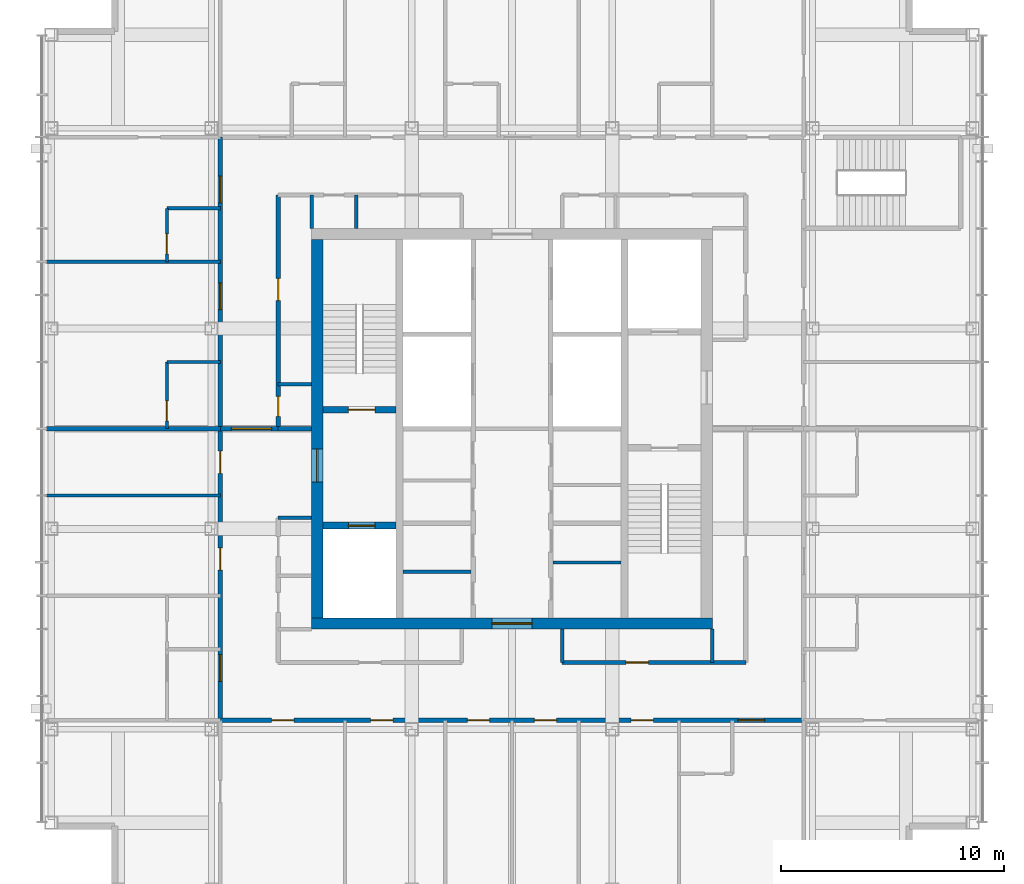
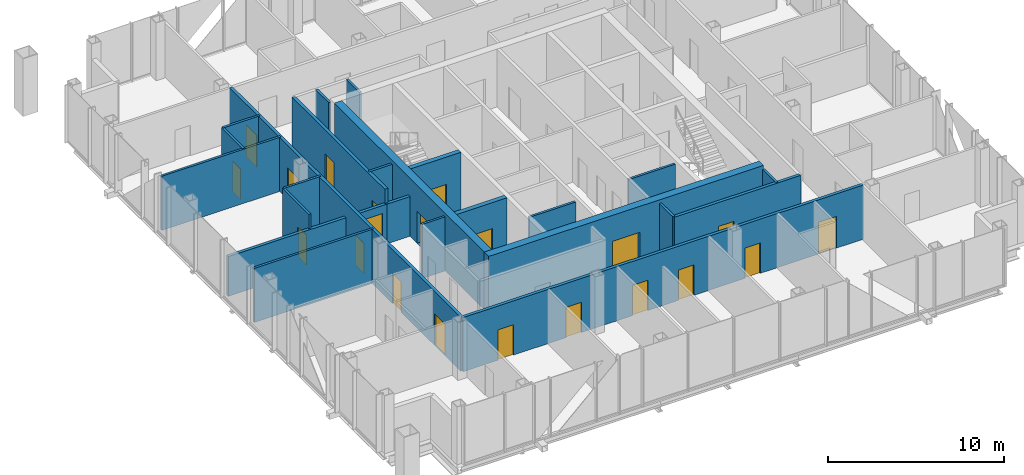
# One storey, part 8 of 14: 25 walls, 21 doors, 21 openings.
"""IFC4 building model written with IfcOpenShell, lengths in metres."""

from ifc_helpers import new_model, si_unit, direction, frame, frame_2d, origin, place, context, subcontext, project, spatial, rectangle, extrude, material, layer, layer_set, type_object, element, fill, save


model = new_model("IFC4")

# Units and contexts
model_context = context("Model", 3, precision=1e-05, world=origin(), true_north=direction((0.0, 1.0)))
body_context = subcontext(model_context, "Body", "Model", "MODEL_VIEW")
ifc_project = project(units=[si_unit("LENGTHUNIT", "METRE"), si_unit("AREAUNIT", "SQUARE_METRE"), si_unit("VOLUMEUNIT", "CUBIC_METRE"), si_unit("PLANEANGLEUNIT", "RADIAN"), si_unit("MASSUNIT", "GRAM", prefix="KILO")], contexts=[model_context])

# Site, building, storey
site_placement = place(None, origin())
site = spatial("IfcSite", under=ifc_project, at=site_placement, CompositionType="ELEMENT")
building_placement = place(site_placement, origin())
building = spatial("IfcBuilding", under=site, at=building_placement, Name="Malebo Sky Hospital", CompositionType="ELEMENT")
storey_placement = place(building_placement, frame((0.0, 0.0, 258.0)))
storey = spatial("IfcBuildingStorey", under=building, at=storey_placement, Name="L62", CompositionType="ELEMENT", Elevation=258.0)

# Wall, opening, door
ifc_material_1 = material(Name="Concrete C80/95", Category="concrete")
ifc_layer_1 = layer(ifc_material_1, 0.300048828125)
ifc_layer_set_1 = layer_set([ifc_layer_1], Name="CORE INNER WALL 300")
wall_type_1 = type_object("IfcWallType", Name="CORE INNER WALL 300", PredefinedType="SHEAR", material=ifc_layer_set_1)
wall_1_placement = place(storey_placement, frame((51.5, 62.85009765625, 0.0), z_axis=(0.0, 0.0, 1.0), x_axis=(1.0, 0.0, 0.0)))
wall_1 = element("IfcWall", 1, at=wall_1_placement, inside=storey, type_object=wall_type_1, Name="Core wall W1 L62", PredefinedType="SHEAR", context=body_context, shape_type="SweptSolid", body=[
    extrude(rectangle(XDim=3.300048828125, YDim=0.300048828125, at=frame_2d((1.64990234375, 0.0))), origin(), (0.0, 0.0, 1.0), 4.0),
])
opening_1_placement = place(wall_1_placement, frame((1.14990234375, 0.0, 0.0)))
opening_1 = element("IfcOpeningElement", 2, at=opening_1_placement, cuts=wall_1, Name="Opening D08", PredefinedType="OPENING", context=body_context, shape_type="SweptSolid", body=[
    extrude(rectangle(XDim=1.199951171875, YDim=2.10009765625, at=frame_2d((0.60009765625, 1.050048828125))), frame((0.0, 0.159912109375, 0.0), z_axis=(0.0, -1.0, 0.0), x_axis=(1.0, 0.0, 0.0)), (0.0, 0.0, 1.0), 0.320068359375),
])
ifc_material_2 = material(Name="Hardwood-faced door leaf in steel frame", Category="steel")
door_type_1 = type_object("IfcDoorType", Name="STAIR DOOR 1200", OperationType="SINGLE_SWING_LEFT", PredefinedType="DOOR", material=ifc_material_2)
door_1_placement = place(opening_1_placement, origin())
door_1 = element("IfcDoor", 3, at=door_1_placement, inside=storey, type_object=door_type_1, Name="Stair S1 door", OperationType="SINGLE_SWING_RIGHT", OverallHeight=2.10009765625, OverallWidth=1.199951171875, PredefinedType="DOOR", context=body_context, shape_type="SweptSolid", body=[
    extrude(rectangle(XDim=1.199951171875, YDim=2.10009765625, at=frame_2d((0.60009765625, 1.050048828125))), frame((0.0, 0.02490234375, 0.0), z_axis=(0.0, -1.0, 0.0), x_axis=(1.0, 0.0, 0.0)), (0.0, 0.0, 1.0), 0.050048828125),
])
fill(opening_1, door_1)

wall_2_placement = place(storey_placement, frame((51.5, 57.64990234375, 0.0), z_axis=(0.0, 0.0, 1.0), x_axis=(1.0, 0.0, 0.0)))
wall_2 = element("IfcWall", 4, at=wall_2_placement, inside=storey, type_object=wall_type_1, Name="Core wall W2 L62", PredefinedType="SHEAR", context=body_context, shape_type="SweptSolid", body=[
    extrude(rectangle(XDim=3.300048828125, YDim=0.300048828125, at=frame_2d((1.64990234375, 0.0))), origin(), (0.0, 0.0, 1.0), 4.0),
])
opening_2_placement = place(wall_2_placement, frame((1.14990234375, 0.0, 0.0)))
opening_2 = element("IfcOpeningElement", 5, at=opening_2_placement, cuts=wall_2, Name="Opening LD2", PredefinedType="OPENING", context=body_context, shape_type="SweptSolid", body=[
    extrude(rectangle(XDim=1.199951171875, YDim=2.199951171875, at=frame_2d((0.60009765625, 1.10009765625))), frame((0.0, 0.159912109375, 0.0), z_axis=(0.0, -1.0, 0.0), x_axis=(1.0, 0.0, 0.0)), (0.0, 0.0, 1.0), 0.320068359375),
])
ifc_material_3 = material(Name="Stainless steel sliding landing door", Category="steel")
door_type_2 = type_object("IfcDoorType", Name="FIRE-FIGHTING LIFT LANDING DOOR 1200", OperationType="SLIDING_TO_LEFT", PredefinedType="DOOR", material=ifc_material_3)
door_2_placement = place(opening_2_placement, origin())
door_2 = element("IfcDoor", 6, at=door_2_placement, inside=storey, type_object=door_type_2, Name="Lift FL1 landing door", OperationType="SLIDING_TO_LEFT", OverallHeight=2.199951171875, OverallWidth=1.199951171875, PredefinedType="DOOR", context=body_context, shape_type="SweptSolid", body=[
    extrude(rectangle(XDim=1.199951171875, YDim=2.199951171875, at=frame_2d((0.60009765625, 1.10009765625))), frame((0.0, 0.02490234375, 0.0), z_axis=(0.0, -1.0, 0.0), x_axis=(1.0, 0.0, 0.0)), (0.0, 0.0, 1.0), 0.050048828125),
])
fill(opening_2, door_2)

ifc_layer_2 = layer(ifc_material_1, 0.5)
ifc_layer_set_2 = layer_set([ifc_layer_2], Name="CORE WALL 500")
wall_type_2 = type_object("IfcWallType", Name="CORE WALL 500", PredefinedType="SHEAR", material=ifc_layer_set_2)
wall_3_placement = place(storey_placement, frame((51.0, 53.25, 0.0), z_axis=(0.0, 0.0, 1.0), x_axis=(1.0, 0.0, 0.0)))
wall_3 = element("IfcWall", 7, at=wall_3_placement, inside=storey, type_object=wall_type_2, Name="Core wall S L62", PredefinedType="SHEAR", context=body_context, shape_type="SweptSolid", body=[
    extrude(rectangle(XDim=18.0, YDim=0.5, at=frame_2d((9.0, 0.0))), origin(), (0.0, 0.0, 1.0), 4.0),
])
opening_3_placement = place(wall_3_placement, frame((8.10009765625, 0.0, 0.0)))
opening_3 = element("IfcOpeningElement", 8, at=opening_3_placement, cuts=wall_3, Name="Opening D06", PredefinedType="OPENING", context=body_context, shape_type="SweptSolid", body=[
    extrude(rectangle(XDim=1.800048828125, YDim=2.199951171875, at=frame_2d((0.89990234375, 1.10009765625))), frame((0.0, 0.260009765625, 0.0), z_axis=(0.0, -1.0, 0.0), x_axis=(1.0, 0.0, 0.0)), (0.0, 0.0, 1.0), 0.52001953125),
])
door_type_3 = type_object("IfcDoorType", Name="LOBBY DOOR PAIR 1800", OperationType="DOUBLE_DOOR_SINGLE_SWING", PredefinedType="DOOR", material=ifc_material_2)
door_3_placement = place(opening_3_placement, origin())
door_3 = element("IfcDoor", 9, at=door_3_placement, inside=storey, type_object=door_type_3, Name="Service lobby door south", OperationType="DOUBLE_DOOR_SINGLE_SWING", OverallHeight=2.199951171875, OverallWidth=1.800048828125, PredefinedType="DOOR", context=body_context, shape_type="SweptSolid", body=[
    extrude(rectangle(XDim=1.800048828125, YDim=2.199951171875, at=frame_2d((0.89990234375, 1.10009765625))), frame((0.0, 0.02490234375, 0.0), z_axis=(0.0, -1.0, 0.0), x_axis=(1.0, 0.0, 0.0)), (0.0, 0.0, 1.0), 0.050048828125),
])
fill(opening_3, door_3)

wall_4_placement = place(storey_placement, frame((51.25, 53.5, 0.0), z_axis=(0.0, 0.0, 1.0), x_axis=(0.0, 1.0, 0.0)))
wall_4 = element("IfcWall", 10, at=wall_4_placement, inside=storey, type_object=wall_type_2, Name="Core wall W L62", PredefinedType="SHEAR", context=body_context, shape_type="SweptSolid", body=[
    extrude(rectangle(XDim=17.0, YDim=0.5, at=frame_2d((8.5, 0.0))), origin(), (0.0, 0.0, 1.0), 4.0),
])
opening_4_placement = place(wall_4_placement, frame((6.10009765625, 0.0, 0.0)))
opening_4 = element("IfcOpeningElement", 11, at=opening_4_placement, cuts=wall_4, Name="Opening D07", PredefinedType="OPENING", context=body_context, shape_type="SweptSolid", body=[
    extrude(rectangle(XDim=1.5, YDim=2.199951171875, at=frame_2d((0.75, 1.10009765625))), frame((0.0, 0.260009765625, 0.0), z_axis=(0.0, -1.0, 0.0), x_axis=(1.0, 0.0, 0.0)), (0.0, 0.0, 1.0), 0.52001953125),
])
door_type_4 = type_object("IfcDoorType", Name="FIRE-FIGHTING LOBBY DOOR PAIR 1500", OperationType="DOUBLE_DOOR_SINGLE_SWING", PredefinedType="DOOR", material=ifc_material_2)
door_4_placement = place(opening_4_placement, origin())
door_4 = element("IfcDoor", 12, at=door_4_placement, inside=storey, type_object=door_type_4, Name="Fire-fighting lobby door west", OperationType="DOUBLE_DOOR_SINGLE_SWING", OverallHeight=2.199951171875, OverallWidth=1.5, PredefinedType="DOOR", context=body_context, shape_type="SweptSolid", body=[
    extrude(rectangle(XDim=1.5, YDim=2.199951171875, at=frame_2d((0.75, 1.10009765625))), frame((0.0, 0.02490234375, 0.0), z_axis=(0.0, -1.0, 0.0), x_axis=(1.0, 0.0, 0.0)), (0.0, 0.0, 1.0), 0.050048828125),
])
fill(opening_4, door_4)

# Wall, openings, doors
ifc_material_4 = material(Name="Gypsum board on steel studs", Category="steel")
ifc_layer_3 = layer(ifc_material_4, 0.199951171875)
ifc_layer_set_3 = layer_set([ifc_layer_3], Name="CORRIDOR WALL 200")
wall_type_3 = type_object("IfcWallType", Name="CORRIDOR WALL 200", PredefinedType="PARTITIONING", material=ifc_layer_set_3)
wall_5_placement = place(storey_placement, frame((46.89990234375, 48.89990234375, 0.0), z_axis=(0.0, 0.0, 1.0), x_axis=(0.0, 1.0, 0.0)))
wall_5 = element("IfcWall", 13, at=wall_5_placement, inside=storey, type_object=wall_type_3, Name="Corridor Wall 200 WCO", PredefinedType="PARTITIONING", context=body_context, shape_type="SweptSolid", body=[
    extrude(rectangle(XDim=26.2001953125, YDim=0.199951171875, at=frame_2d((13.10009765625, 0.0))), origin(), (0.0, 0.0, 1.0), 3.75),
])
opening_5_placement = place(wall_5_placement, frame((1.75, 0.0, 0.0)))
opening_5 = element("IfcOpeningElement", 14, at=opening_5_placement, cuts=wall_5, Name="Opening D18", PredefinedType="OPENING", context=body_context, shape_type="SweptSolid", body=[
    extrude(rectangle(XDim=1.199951171875, YDim=2.199951171875, at=frame_2d((0.60009765625, 1.10009765625))), frame((0.0, 0.10986328125, 0.0), z_axis=(0.0, -1.0, 0.0), x_axis=(1.0, 0.0, 0.0)), (0.0, 0.0, 1.0), 0.219970703125),
])
opening_6_placement = place(wall_5_placement, frame((6.75, 0.0, 0.0)))
opening_6 = element("IfcOpeningElement", 15, at=opening_6_placement, cuts=wall_5, Name="Opening D03", PredefinedType="OPENING", context=body_context, shape_type="SweptSolid", body=[
    extrude(rectangle(XDim=1.0, YDim=2.10009765625, at=frame_2d((0.5, 1.050048828125))), frame((0.0, 0.10986328125, 0.0), z_axis=(0.0, -1.0, 0.0), x_axis=(1.0, 0.0, 0.0)), (0.0, 0.0, 1.0), 0.219970703125),
])
opening_7_placement = place(wall_5_placement, frame((11.10009765625, 0.0, 0.0)))
opening_7 = element("IfcOpeningElement", 16, at=opening_7_placement, cuts=wall_5, Name="Opening D03", PredefinedType="OPENING", context=body_context, shape_type="SweptSolid", body=[
    extrude(rectangle(XDim=1.0, YDim=2.10009765625, at=frame_2d((0.5, 1.050048828125))), frame((0.0, 0.10986328125, 0.0), z_axis=(0.0, -1.0, 0.0), x_axis=(1.0, 0.0, 0.0)), (0.0, 0.0, 1.0), 0.219970703125),
])
opening_8_placement = place(wall_5_placement, frame((18.449951171875, 0.0, 0.0)))
opening_8 = element("IfcOpeningElement", 17, at=opening_8_placement, cuts=wall_5, Name="Opening D01", PredefinedType="OPENING", context=body_context, shape_type="SweptSolid", body=[
    extrude(rectangle(XDim=1.199951171875, YDim=2.199951171875, at=frame_2d((0.60009765625, 1.10009765625))), frame((0.0, 0.10986328125, 0.0), z_axis=(0.0, -1.0, 0.0), x_axis=(1.0, 0.0, 0.0)), (0.0, 0.0, 1.0), 0.219970703125),
])
opening_9_placement = place(wall_5_placement, frame((23.25, 0.0, 0.0)))
opening_9 = element("IfcOpeningElement", 18, at=opening_9_placement, cuts=wall_5, Name="Opening D01", PredefinedType="OPENING", context=body_context, shape_type="SweptSolid", body=[
    extrude(rectangle(XDim=1.199951171875, YDim=2.199951171875, at=frame_2d((0.60009765625, 1.10009765625))), frame((0.0, 0.10986328125, 0.0), z_axis=(0.0, -1.0, 0.0), x_axis=(1.0, 0.0, 0.0)), (0.0, 0.0, 1.0), 0.219970703125),
])
door_type_5 = type_object("IfcDoorType", Name="ANTEROOM DOOR 1200", OperationType="SINGLE_SWING_LEFT", PredefinedType="DOOR", material=ifc_material_2)
door_5_placement = place(opening_5_placement, origin())
door_5 = element("IfcDoor", 19, at=door_5_placement, inside=storey, type_object=door_type_5, Name="Anteroom door", OperationType="SINGLE_SWING_RIGHT", OverallHeight=2.199951171875, OverallWidth=1.199951171875, PredefinedType="DOOR", context=body_context, shape_type="SweptSolid", body=[
    extrude(rectangle(XDim=1.199951171875, YDim=2.199951171875, at=frame_2d((0.60009765625, 1.10009765625))), frame((0.0, 0.02490234375, 0.0), z_axis=(0.0, -1.0, 0.0), x_axis=(1.0, 0.0, 0.0)), (0.0, 0.0, 1.0), 0.050048828125),
])
fill(opening_5, door_5)
door_type_6 = type_object("IfcDoorType", Name="BED DOOR 1200", OperationType="SINGLE_SWING_LEFT", PredefinedType="DOOR", material=ifc_material_2)
door_6_placement = place(opening_8_placement, origin())
door_6 = element("IfcDoor", 20, at=door_6_placement, inside=storey, type_object=door_type_6, Name="Two-bed room door", OperationType="SINGLE_SWING_RIGHT", OverallHeight=2.199951171875, OverallWidth=1.199951171875, PredefinedType="DOOR", context=body_context, shape_type="SweptSolid", body=[
    extrude(rectangle(XDim=1.199951171875, YDim=2.199951171875, at=frame_2d((0.60009765625, 1.10009765625))), frame((0.0, 0.02490234375, 0.0), z_axis=(0.0, -1.0, 0.0), x_axis=(1.0, 0.0, 0.0)), (0.0, 0.0, 1.0), 0.050048828125),
])
fill(opening_8, door_6)
door_7_placement = place(opening_9_placement, origin())
door_7 = element("IfcDoor", 21, at=door_7_placement, inside=storey, type_object=door_type_6, Name="Day treatment bay door", OperationType="SINGLE_SWING_LEFT", OverallHeight=2.199951171875, OverallWidth=1.199951171875, PredefinedType="DOOR", context=body_context, shape_type="SweptSolid", body=[
    extrude(rectangle(XDim=1.199951171875, YDim=2.199951171875, at=frame_2d((0.60009765625, 1.10009765625))), frame((0.0, 0.02490234375, 0.0), z_axis=(0.0, -1.0, 0.0), x_axis=(1.0, 0.0, 0.0)), (0.0, 0.0, 1.0), 0.050048828125),
])
fill(opening_9, door_7)
door_type_7 = type_object("IfcDoorType", Name="ROOM DOOR 1000", OperationType="SINGLE_SWING_LEFT", PredefinedType="DOOR", material=ifc_material_2)
door_8_placement = place(opening_6_placement, origin())
door_8 = element("IfcDoor", 22, at=door_8_placement, inside=storey, type_object=door_type_7, Name="Treatment room door", OperationType="SINGLE_SWING_LEFT", OverallHeight=2.10009765625, OverallWidth=1.0, PredefinedType="DOOR", context=body_context, shape_type="SweptSolid", body=[
    extrude(rectangle(XDim=1.0, YDim=2.10009765625, at=frame_2d((0.5, 1.050048828125))), frame((0.0, 0.02490234375, 0.0), z_axis=(0.0, -1.0, 0.0), x_axis=(1.0, 0.0, 0.0)), (0.0, 0.0, 1.0), 0.050048828125),
])
fill(opening_6, door_8)
door_9_placement = place(opening_7_placement, origin())
door_9 = element("IfcDoor", 23, at=door_9_placement, inside=storey, type_object=door_type_7, Name="Medication room door", OperationType="SINGLE_SWING_RIGHT", OverallHeight=2.10009765625, OverallWidth=1.0, PredefinedType="DOOR", context=body_context, shape_type="SweptSolid", body=[
    extrude(rectangle(XDim=1.0, YDim=2.10009765625, at=frame_2d((0.5, 1.050048828125))), frame((0.0, 0.02490234375, 0.0), z_axis=(0.0, -1.0, 0.0), x_axis=(1.0, 0.0, 0.0)), (0.0, 0.0, 1.0), 0.050048828125),
])
fill(opening_7, door_9)

wall_6_placement = place(storey_placement, frame((49.5, 62.0, 0.0), z_axis=(0.0, 0.0, 1.0), x_axis=(0.0, 1.0, 0.0)))
wall_6 = element("IfcWall", 24, at=wall_6_placement, inside=storey, type_object=wall_type_3, Name="Corridor Wall 200 WCI2", PredefinedType="PARTITIONING", context=body_context, shape_type="SweptSolid", body=[
    extrude(rectangle(XDim=10.5, YDim=0.199951171875, at=frame_2d((5.25, 0.0))), origin(), (0.0, 0.0, 1.0), 3.75),
])
opening_10_placement = place(wall_6_placement, frame((0.550048828125, 0.0, 0.0)))
opening_10 = element("IfcOpeningElement", 25, at=opening_10_placement, cuts=wall_6, Name="Opening D04", PredefinedType="OPENING", context=body_context, shape_type="SweptSolid", body=[
    extrude(rectangle(XDim=0.89990234375, YDim=2.10009765625, at=frame_2d((0.449951171875, 1.050048828125))), frame((0.0, 0.10986328125, 0.0), z_axis=(0.0, -1.0, 0.0), x_axis=(1.0, 0.0, 0.0)), (0.0, 0.0, 1.0), 0.219970703125),
])
opening_11_placement = place(wall_6_placement, frame((5.75, 0.0, 0.0)))
opening_11 = element("IfcOpeningElement", 26, at=opening_11_placement, cuts=wall_6, Name="Opening D03", PredefinedType="OPENING", context=body_context, shape_type="SweptSolid", body=[
    extrude(rectangle(XDim=1.0, YDim=2.10009765625, at=frame_2d((0.5, 1.050048828125))), frame((0.0, 0.10986328125, 0.0), z_axis=(0.0, -1.0, 0.0), x_axis=(1.0, 0.0, 0.0)), (0.0, 0.0, 1.0), 0.219970703125),
])
door_10_placement = place(opening_11_placement, origin())
door_10 = element("IfcDoor", 27, at=door_10_placement, inside=storey, type_object=door_type_7, Name="Patient property store door", OperationType="SINGLE_SWING_RIGHT", OverallHeight=2.10009765625, OverallWidth=1.0, PredefinedType="DOOR", context=body_context, shape_type="SweptSolid", body=[
    extrude(rectangle(XDim=1.0, YDim=2.10009765625, at=frame_2d((0.5, 1.050048828125))), frame((0.0, 0.02490234375, 0.0), z_axis=(0.0, -1.0, 0.0), x_axis=(1.0, 0.0, 0.0)), (0.0, 0.0, 1.0), 0.050048828125),
])
fill(opening_11, door_10)
door_type_8 = type_object("IfcDoorType", Name="ROOM DOOR 900", OperationType="SINGLE_SWING_LEFT", PredefinedType="DOOR", material=ifc_material_2)
door_11_placement = place(opening_10_placement, origin())
door_11 = element("IfcDoor", 28, at=door_11_placement, inside=storey, type_object=door_type_8, Name="Visitor WC door", OperationType="SINGLE_SWING_LEFT", OverallHeight=2.10009765625, OverallWidth=0.89990234375, PredefinedType="DOOR", context=body_context, shape_type="SweptSolid", body=[
    extrude(rectangle(XDim=0.89990234375, YDim=2.10009765625, at=frame_2d((0.449951171875, 1.050048828125))), frame((0.0, 0.02490234375, 0.0), z_axis=(0.0, -1.0, 0.0), x_axis=(1.0, 0.0, 0.0)), (0.0, 0.0, 1.0), 0.050048828125),
])
fill(opening_10, door_11)

wall_7_placement = place(storey_placement, frame((73.10009765625, 48.89990234375, 0.0), z_axis=(0.0, 0.0, 1.0), x_axis=(-1.0, 0.0, 0.0)))
wall_7 = element("IfcWall", 29, at=wall_7_placement, inside=storey, type_object=wall_type_3, Name="Corridor Wall 200 SCO", PredefinedType="PARTITIONING", context=body_context, shape_type="SweptSolid", body=[
    extrude(rectangle(XDim=26.2001953125, YDim=0.199951171875, at=frame_2d((13.10009765625, 0.0))), origin(), (0.0, 0.0, 1.0), 3.75),
])
opening_12_placement = place(wall_7_placement, frame((1.75, 0.0, 0.0)))
opening_12 = element("IfcOpeningElement", 30, at=opening_12_placement, cuts=wall_7, Name="Opening D01", PredefinedType="OPENING", context=body_context, shape_type="SweptSolid", body=[
    extrude(rectangle(XDim=1.199951171875, YDim=2.199951171875, at=frame_2d((0.60009765625, 1.10009765625))), frame((0.0, 0.10986328125, 0.0), z_axis=(0.0, -1.0, 0.0), x_axis=(1.0, 0.0, 0.0)), (0.0, 0.0, 1.0), 0.219970703125),
])
opening_13_placement = place(wall_7_placement, frame((6.75, 0.0, 0.0)))
opening_13 = element("IfcOpeningElement", 31, at=opening_13_placement, cuts=wall_7, Name="Opening D03", PredefinedType="OPENING", context=body_context, shape_type="SweptSolid", body=[
    extrude(rectangle(XDim=1.0, YDim=2.10009765625, at=frame_2d((0.5, 1.050048828125))), frame((0.0, 0.10986328125, 0.0), z_axis=(0.0, -1.0, 0.0), x_axis=(1.0, 0.0, 0.0)), (0.0, 0.0, 1.0), 0.219970703125),
])
opening_14_placement = place(wall_7_placement, frame((11.10009765625, 0.0, 0.0)))
opening_14 = element("IfcOpeningElement", 32, at=opening_14_placement, cuts=wall_7, Name="Opening D03", PredefinedType="OPENING", context=body_context, shape_type="SweptSolid", body=[
    extrude(rectangle(XDim=1.0, YDim=2.10009765625, at=frame_2d((0.5, 1.050048828125))), frame((0.0, 0.10986328125, 0.0), z_axis=(0.0, -1.0, 0.0), x_axis=(1.0, 0.0, 0.0)), (0.0, 0.0, 1.0), 0.219970703125),
])
opening_15_placement = place(wall_7_placement, frame((14.10009765625, 0.0, 0.0)))
opening_15 = element("IfcOpeningElement", 33, at=opening_15_placement, cuts=wall_7, Name="Opening D03", PredefinedType="OPENING", context=body_context, shape_type="SweptSolid", body=[
    extrude(rectangle(XDim=1.0, YDim=2.10009765625, at=frame_2d((0.5, 1.050048828125))), frame((0.0, 0.10986328125, 0.0), z_axis=(0.0, -1.0, 0.0), x_axis=(1.0, 0.0, 0.0)), (0.0, 0.0, 1.0), 0.219970703125),
])
opening_16_placement = place(wall_7_placement, frame((18.449951171875, 0.0, 0.0)))
opening_16 = element("IfcOpeningElement", 34, at=opening_16_placement, cuts=wall_7, Name="Opening D03", PredefinedType="OPENING", context=body_context, shape_type="SweptSolid", body=[
    extrude(rectangle(XDim=1.0, YDim=2.10009765625, at=frame_2d((0.5, 1.050048828125))), frame((0.0, 0.10986328125, 0.0), z_axis=(0.0, -1.0, 0.0), x_axis=(1.0, 0.0, 0.0)), (0.0, 0.0, 1.0), 0.219970703125),
])
opening_17_placement = place(wall_7_placement, frame((22.89990234375, 0.0, 0.0)))
opening_17 = element("IfcOpeningElement", 35, at=opening_17_placement, cuts=wall_7, Name="Opening D03", PredefinedType="OPENING", context=body_context, shape_type="SweptSolid", body=[
    extrude(rectangle(XDim=1.0, YDim=2.10009765625, at=frame_2d((0.5, 1.050048828125))), frame((0.0, 0.10986328125, 0.0), z_axis=(0.0, -1.0, 0.0), x_axis=(1.0, 0.0, 0.0)), (0.0, 0.0, 1.0), 0.219970703125),
])
door_12_placement = place(opening_12_placement, origin())
door_12 = element("IfcDoor", 36, at=door_12_placement, inside=storey, type_object=door_type_6, Name="Single bed room door", OperationType="SINGLE_SWING_RIGHT", OverallHeight=2.199951171875, OverallWidth=1.199951171875, PredefinedType="DOOR", context=body_context, shape_type="SweptSolid", body=[
    extrude(rectangle(XDim=1.199951171875, YDim=2.199951171875, at=frame_2d((0.60009765625, 1.10009765625))), frame((0.0, 0.02490234375, 0.0), z_axis=(0.0, -1.0, 0.0), x_axis=(1.0, 0.0, 0.0)), (0.0, 0.0, 1.0), 0.050048828125),
])
fill(opening_12, door_12)
door_13_placement = place(opening_13_placement, origin())
door_13 = element("IfcDoor", 37, at=door_13_placement, inside=storey, type_object=door_type_7, Name="Clean utility room door", OperationType="SINGLE_SWING_LEFT", OverallHeight=2.10009765625, OverallWidth=1.0, PredefinedType="DOOR", context=body_context, shape_type="SweptSolid", body=[
    extrude(rectangle(XDim=1.0, YDim=2.10009765625, at=frame_2d((0.5, 1.050048828125))), frame((0.0, 0.02490234375, 0.0), z_axis=(0.0, -1.0, 0.0), x_axis=(1.0, 0.0, 0.0)), (0.0, 0.0, 1.0), 0.050048828125),
])
fill(opening_13, door_13)
door_14_placement = place(opening_14_placement, origin())
door_14 = element("IfcDoor", 38, at=door_14_placement, inside=storey, type_object=door_type_7, Name="Dirty utility room door", OperationType="SINGLE_SWING_LEFT", OverallHeight=2.10009765625, OverallWidth=1.0, PredefinedType="DOOR", context=body_context, shape_type="SweptSolid", body=[
    extrude(rectangle(XDim=1.0, YDim=2.10009765625, at=frame_2d((0.5, 1.050048828125))), frame((0.0, 0.02490234375, 0.0), z_axis=(0.0, -1.0, 0.0), x_axis=(1.0, 0.0, 0.0)), (0.0, 0.0, 1.0), 0.050048828125),
])
fill(opening_14, door_14)
door_15_placement = place(opening_15_placement, origin())
door_15 = element("IfcDoor", 39, at=door_15_placement, inside=storey, type_object=door_type_7, Name="Ward pantry door", OperationType="SINGLE_SWING_LEFT", OverallHeight=2.10009765625, OverallWidth=1.0, PredefinedType="DOOR", context=body_context, shape_type="SweptSolid", body=[
    extrude(rectangle(XDim=1.0, YDim=2.10009765625, at=frame_2d((0.5, 1.050048828125))), frame((0.0, 0.02490234375, 0.0), z_axis=(0.0, -1.0, 0.0), x_axis=(1.0, 0.0, 0.0)), (0.0, 0.0, 1.0), 0.050048828125),
])
fill(opening_15, door_15)
door_16_placement = place(opening_16_placement, origin())
door_16 = element("IfcDoor", 40, at=door_16_placement, inside=storey, type_object=door_type_7, Name="Equipment store door", OperationType="SINGLE_SWING_RIGHT", OverallHeight=2.10009765625, OverallWidth=1.0, PredefinedType="DOOR", context=body_context, shape_type="SweptSolid", body=[
    extrude(rectangle(XDim=1.0, YDim=2.10009765625, at=frame_2d((0.5, 1.050048828125))), frame((0.0, 0.02490234375, 0.0), z_axis=(0.0, -1.0, 0.0), x_axis=(1.0, 0.0, 0.0)), (0.0, 0.0, 1.0), 0.050048828125),
])
fill(opening_16, door_16)
door_17_placement = place(opening_17_placement, origin())
door_17 = element("IfcDoor", 41, at=door_17_placement, inside=storey, type_object=door_type_7, Name="Patient day room door", OperationType="SINGLE_SWING_RIGHT", OverallHeight=2.10009765625, OverallWidth=1.0, PredefinedType="DOOR", context=body_context, shape_type="SweptSolid", body=[
    extrude(rectangle(XDim=1.0, YDim=2.10009765625, at=frame_2d((0.5, 1.050048828125))), frame((0.0, 0.02490234375, 0.0), z_axis=(0.0, -1.0, 0.0), x_axis=(1.0, 0.0, 0.0)), (0.0, 0.0, 1.0), 0.050048828125),
])
fill(opening_17, door_17)

# Wall, opening, door
wall_8_placement = place(storey_placement, frame((70.5, 51.5, 0.0), z_axis=(0.0, 0.0, 1.0), x_axis=(-1.0, 0.0, 0.0)))
wall_8 = element("IfcWall", 42, at=wall_8_placement, inside=storey, type_object=wall_type_3, Name="Corridor Wall 200 SCI1", PredefinedType="PARTITIONING", context=body_context, shape_type="SweptSolid", body=[
    extrude(rectangle(XDim=8.25, YDim=0.199951171875, at=frame_2d((4.125, 0.0))), origin(), (0.0, 0.0, 1.0), 3.75),
])
opening_18_placement = place(wall_8_placement, frame((4.375, 0.0, 0.0)))
opening_18 = element("IfcOpeningElement", 43, at=opening_18_placement, cuts=wall_8, Name="Opening D03", PredefinedType="OPENING", context=body_context, shape_type="SweptSolid", body=[
    extrude(rectangle(XDim=1.0, YDim=2.10009765625, at=frame_2d((0.5, 1.050048828125))), frame((0.0, 0.10986328125, 0.0), z_axis=(0.0, -1.0, 0.0), x_axis=(1.0, 0.0, 0.0)), (0.0, 0.0, 1.0), 0.219970703125),
])
door_18_placement = place(opening_18_placement, origin())
door_18 = element("IfcDoor", 44, at=door_18_placement, inside=storey, type_object=door_type_7, Name="Chemotherapy spill kit store door", OperationType="SINGLE_SWING_LEFT", OverallHeight=2.10009765625, OverallWidth=1.0, PredefinedType="DOOR", context=body_context, shape_type="SweptSolid", body=[
    extrude(rectangle(XDim=1.0, YDim=2.10009765625, at=frame_2d((0.5, 1.050048828125))), frame((0.0, 0.02490234375, 0.0), z_axis=(0.0, -1.0, 0.0), x_axis=(1.0, 0.0, 0.0)), (0.0, 0.0, 1.0), 0.050048828125),
])
fill(opening_18, door_18)

# Walls
ifc_layer_4 = layer(ifc_material_4, 0.14990234375)
ifc_layer_set_4 = layer_set([ifc_layer_4], Name="PARTITION 150")
wall_type_4 = type_object("IfcWallType", Name="PARTITION 150", PredefinedType="PARTITIONING", material=ifc_layer_set_4)
for number, where, z_axis, x_axis, name in (
    (45, (51.0, 71.0, 0.0), (0.0, 0.0, 1.0), (0.0, 1.0, 0.0), "Partition 150 NSP0"),
    (46, (53.0, 71.0, 0.0), (0.0, 0.0, 1.0), (0.0, 1.0, 0.0), "Partition 150 NSP-7.0"),
):
    element("IfcWall", number, at=place(storey_placement, frame(where, z_axis=z_axis, x_axis=x_axis)), inside=storey, type_object=wall_type_4, Name=name, PredefinedType="PARTITIONING", context=body_context, shape_type="SweptSolid", body=[
        extrude(rectangle(XDim=1.5, YDim=0.14990234375, at=frame_2d((0.75, 0.0))), origin(), (0.0, 0.0, 1.0), 3.75),
    ])
for number, where, z_axis, x_axis, name in (
    (47, (46.89990234375, 59.0, 0.0), (0.0, 0.0, 1.0), (-1.0, 0.0, 0.0), "Partition 150 WP-3.0"),
    (48, (46.89990234375, 69.5, 0.0), (0.0, 0.0, 1.0), (-1.0, 0.0, 0.0), "Partition 150 WP+7.5"),
):
    element("IfcWall", number, at=place(storey_placement, frame(where, z_axis=z_axis, x_axis=x_axis)), inside=storey, type_object=wall_type_4, Name=name, PredefinedType="PARTITIONING", context=body_context, shape_type="SweptSolid", body=[
        extrude(rectangle(XDim=7.7998046875, YDim=0.14990234375, at=frame_2d((3.89990234375, 0.0))), origin(), (0.0, 0.0, 1.0), 3.75),
    ])

# Wall, opening, door
wall_9_placement = place(storey_placement, frame((44.5, 62.0, 0.0), z_axis=(0.0, 0.0, 1.0), x_axis=(0.0, 1.0, 0.0)))
wall_9 = element("IfcWall", 49, at=wall_9_placement, inside=storey, type_object=wall_type_4, Name="Partition 150 WE3F", PredefinedType="PARTITIONING", context=body_context, shape_type="SweptSolid", body=[
    extrude(rectangle(XDim=3.0, YDim=0.14990234375, at=frame_2d((1.5, 0.0))), origin(), (0.0, 0.0, 1.0), 3.75),
])
opening_19_placement = place(wall_9_placement, frame((0.35009765625, 0.0, 0.0)))
opening_19 = element("IfcOpeningElement", 50, at=opening_19_placement, cuts=wall_9, Name="Opening D02", PredefinedType="OPENING", context=body_context, shape_type="SweptSolid", body=[
    extrude(rectangle(XDim=0.89990234375, YDim=2.10009765625, at=frame_2d((0.449951171875, 1.050048828125))), frame((0.0, 0.0849609375, 0.0), z_axis=(0.0, -1.0, 0.0), x_axis=(1.0, 0.0, 0.0)), (0.0, 0.0, 1.0), 0.169921875),
])
door_type_9 = type_object("IfcDoorType", Name="EN-SUITE DOOR 900", OperationType="SINGLE_SWING_LEFT", PredefinedType="DOOR", material=ifc_material_2)
door_19_placement = place(opening_19_placement, origin())
door_19 = element("IfcDoor", 51, at=door_19_placement, inside=storey, type_object=door_type_9, Name="En-suite door", OperationType="SINGLE_SWING_LEFT", OverallHeight=2.10009765625, OverallWidth=0.89990234375, PredefinedType="DOOR", context=body_context, shape_type="SweptSolid", body=[
    extrude(rectangle(XDim=0.89990234375, YDim=2.10009765625, at=frame_2d((0.449951171875, 1.050048828125))), frame((0.0, 0.02490234375, 0.0), z_axis=(0.0, -1.0, 0.0), x_axis=(1.0, 0.0, 0.0)), (0.0, 0.0, 1.0), 0.050048828125),
])
fill(opening_19, door_19)

# Wall
wall_10_placement = place(storey_placement, frame((46.89990234375, 65.0, 0.0), z_axis=(0.0, 0.0, 1.0), x_axis=(-1.0, 0.0, 0.0)))
element("IfcWall", 52, at=wall_10_placement, inside=storey, type_object=wall_type_4, Name="Partition 150 WE3S", PredefinedType="PARTITIONING", context=body_context, shape_type="SweptSolid", body=[
    extrude(rectangle(XDim=2.39990234375, YDim=0.14990234375, at=frame_2d((1.199951171875, 0.0))), origin(), (0.0, 0.0, 1.0), 3.75),
])

# Wall, opening, door
wall_11_placement = place(storey_placement, frame((44.5, 69.5, 0.0), z_axis=(0.0, 0.0, 1.0), x_axis=(0.0, 1.0, 0.0)))
wall_11 = element("IfcWall", 53, at=wall_11_placement, inside=storey, type_object=wall_type_4, Name="Partition 150 WE4F", PredefinedType="PARTITIONING", context=body_context, shape_type="SweptSolid", body=[
    extrude(rectangle(XDim=2.39990234375, YDim=0.14990234375, at=frame_2d((1.199951171875, 0.0))), origin(), (0.0, 0.0, 1.0), 3.75),
])
opening_20_placement = place(wall_11_placement, frame((0.35009765625, 0.0, 0.0)))
opening_20 = element("IfcOpeningElement", 54, at=opening_20_placement, cuts=wall_11, Name="Opening D02", PredefinedType="OPENING", context=body_context, shape_type="SweptSolid", body=[
    extrude(rectangle(XDim=0.89990234375, YDim=2.10009765625, at=frame_2d((0.449951171875, 1.050048828125))), frame((0.0, 0.0849609375, 0.0), z_axis=(0.0, -1.0, 0.0), x_axis=(1.0, 0.0, 0.0)), (0.0, 0.0, 1.0), 0.169921875),
])
door_20_placement = place(opening_20_placement, origin())
door_20 = element("IfcDoor", 55, at=door_20_placement, inside=storey, type_object=door_type_9, Name="En-suite door", OperationType="SINGLE_SWING_LEFT", OverallHeight=2.10009765625, OverallWidth=0.89990234375, PredefinedType="DOOR", context=body_context, shape_type="SweptSolid", body=[
    extrude(rectangle(XDim=0.89990234375, YDim=2.10009765625, at=frame_2d((0.449951171875, 1.050048828125))), frame((0.0, 0.02490234375, 0.0), z_axis=(0.0, -1.0, 0.0), x_axis=(1.0, 0.0, 0.0)), (0.0, 0.0, 1.0), 0.050048828125),
])
fill(opening_20, door_20)

# Walls
wall_12_placement = place(storey_placement, frame((46.89990234375, 71.89990234375, 0.0), z_axis=(0.0, 0.0, 1.0), x_axis=(-1.0, 0.0, 0.0)))
element("IfcWall", 56, at=wall_12_placement, inside=storey, type_object=wall_type_4, Name="Partition 150 WE4S", PredefinedType="PARTITIONING", context=body_context, shape_type="SweptSolid", body=[
    extrude(rectangle(XDim=2.39990234375, YDim=0.14990234375, at=frame_2d((1.199951171875, 0.0))), origin(), (0.0, 0.0, 1.0), 3.75),
])
for number, where, z_axis, x_axis, name in (
    (57, (51.0, 58.0, 0.0), (0.0, 0.0, 1.0), (-1.0, 0.0, 0.0), "Partition 150 WSPA"),
    (58, (51.0, 64.0, 0.0), (0.0, 0.0, 1.0), (-1.0, 0.0, 0.0), "Partition 150 WSP+2.0"),
    (59, (69.0, 53.0, 0.0), (0.0, 0.0, 1.0), (0.0, -1.0, 0.0), "Partition 150 SSP0"),
    (60, (62.25, 53.0, 0.0), (0.0, 0.0, 1.0), (0.0, -1.0, 0.0), "Partition 150 SSPA"),
):
    element("IfcWall", number, at=place(storey_placement, frame(where, z_axis=z_axis, x_axis=x_axis)), inside=storey, type_object=wall_type_4, Name=name, PredefinedType="PARTITIONING", context=body_context, shape_type="SweptSolid", body=[
        extrude(rectangle(XDim=1.5, YDim=0.14990234375, at=frame_2d((0.75, 0.0))), origin(), (0.0, 0.0, 1.0), 3.75),
    ])
for number, where, z_axis, x_axis, name in (
    (61, (55.10009765625, 55.574951171875, 0.0), (0.0, 0.0, 1.0), (1.0, 0.0, 0.0), "Partition 150 SHW1"),
    (62, (61.85009765625, 55.989990234375, 0.0), (0.0, 0.0, 1.0), (1.0, 0.0, 0.0), "Partition 150 SHE1"),
):
    element("IfcWall", number, at=place(storey_placement, frame(where, z_axis=z_axis, x_axis=x_axis)), inside=storey, type_object=wall_type_4, Name=name, PredefinedType="PARTITIONING", context=body_context, shape_type="SweptSolid", body=[
        extrude(rectangle(XDim=3.0498046875, YDim=0.14990234375, at=frame_2d((1.52490234375, 0.0))), origin(), (0.0, 0.0, 1.0), 3.75),
    ])
ifc_material_5 = material(Name="Concrete blockwork", Category="masonry")
ifc_layer_5 = layer(ifc_material_5, 0.199951171875)
ifc_layer_set_5 = layer_set([ifc_layer_5], Name="SMOKE BARRIER WALL 200")
wall_type_5 = type_object("IfcWallType", Name="SMOKE BARRIER WALL 200", PredefinedType="SOLIDWALL", material=ifc_layer_set_5)
wall_13_placement = place(storey_placement, frame((46.89990234375, 62.0, 0.0), z_axis=(0.0, 0.0, 1.0), x_axis=(-1.0, 0.0, 0.0)))
element("IfcWall", 63, at=wall_13_placement, inside=storey, type_object=wall_type_5, Name="Smoke Barrier Wall 200 WP+0.0", PredefinedType="SOLIDWALL", context=body_context, shape_type="SweptSolid", body=[
    extrude(rectangle(XDim=7.7998046875, YDim=0.199951171875, at=frame_2d((3.89990234375, 0.0))), origin(), (0.0, 0.0, 1.0), 2.75),
])
wall_14_placement = place(storey_placement, frame((51.0, 62.0, 0.0), z_axis=(0.0, 0.0, 1.0), x_axis=(-1.0, 0.0, 0.0)))
element("IfcWall", 64, at=wall_14_placement, inside=storey, type_object=wall_type_5, Name="Smoke Barrier Wall 200 WSPB", PredefinedType="SOLIDWALL", context=body_context, shape_type="SweptSolid", body=[
    extrude(rectangle(XDim=1.5, YDim=0.199951171875, at=frame_2d((0.75, 0.0))), origin(), (0.0, 0.0, 1.0), 2.75),
])

# Wall, opening, door
wall_15_placement = place(storey_placement, frame((49.5, 62.0, 0.0), z_axis=(0.0, 0.0, 1.0), x_axis=(-1.0, 0.0, 0.0)))
wall_15 = element("IfcWall", 65, at=wall_15_placement, inside=storey, type_object=wall_type_5, Name="Smoke Barrier Wall 200 WSB", PredefinedType="SOLIDWALL", context=body_context, shape_type="SweptSolid", body=[
    extrude(rectangle(XDim=2.60009765625, YDim=0.199951171875, at=frame_2d((1.300048828125, 0.0))), origin(), (0.0, 0.0, 1.0), 2.75),
])
opening_21_placement = place(wall_15_placement, frame((0.300048828125, 0.0, 0.0)))
opening_21 = element("IfcOpeningElement", 66, at=opening_21_placement, cuts=wall_15, Name="Opening D05", PredefinedType="OPENING", context=body_context, shape_type="SweptSolid", body=[
    extrude(rectangle(XDim=1.800048828125, YDim=2.199951171875, at=frame_2d((0.89990234375, 1.10009765625))), frame((0.0, 0.10986328125, 0.0), z_axis=(0.0, -1.0, 0.0), x_axis=(1.0, 0.0, 0.0)), (0.0, 0.0, 1.0), 0.219970703125),
])
door_type_10 = type_object("IfcDoorType", Name="SMOKE DOOR PAIR 1800", OperationType="DOUBLE_DOOR_DOUBLE_SWING", PredefinedType="DOOR", material=ifc_material_2)
door_21_placement = place(opening_21_placement, origin())
door_21 = element("IfcDoor", 67, at=door_21_placement, inside=storey, type_object=door_type_10, Name="Smoke compartment door pair", OperationType="DOUBLE_DOOR_DOUBLE_SWING", OverallHeight=2.199951171875, OverallWidth=1.800048828125, PredefinedType="DOOR", context=body_context, shape_type="SweptSolid", body=[
    extrude(rectangle(XDim=1.800048828125, YDim=2.199951171875, at=frame_2d((0.89990234375, 1.10009765625))), frame((0.0, 0.02490234375, 0.0), z_axis=(0.0, -1.0, 0.0), x_axis=(1.0, 0.0, 0.0)), (0.0, 0.0, 1.0), 0.050048828125),
])
fill(opening_21, door_21)

save(model, "model.ifc")
